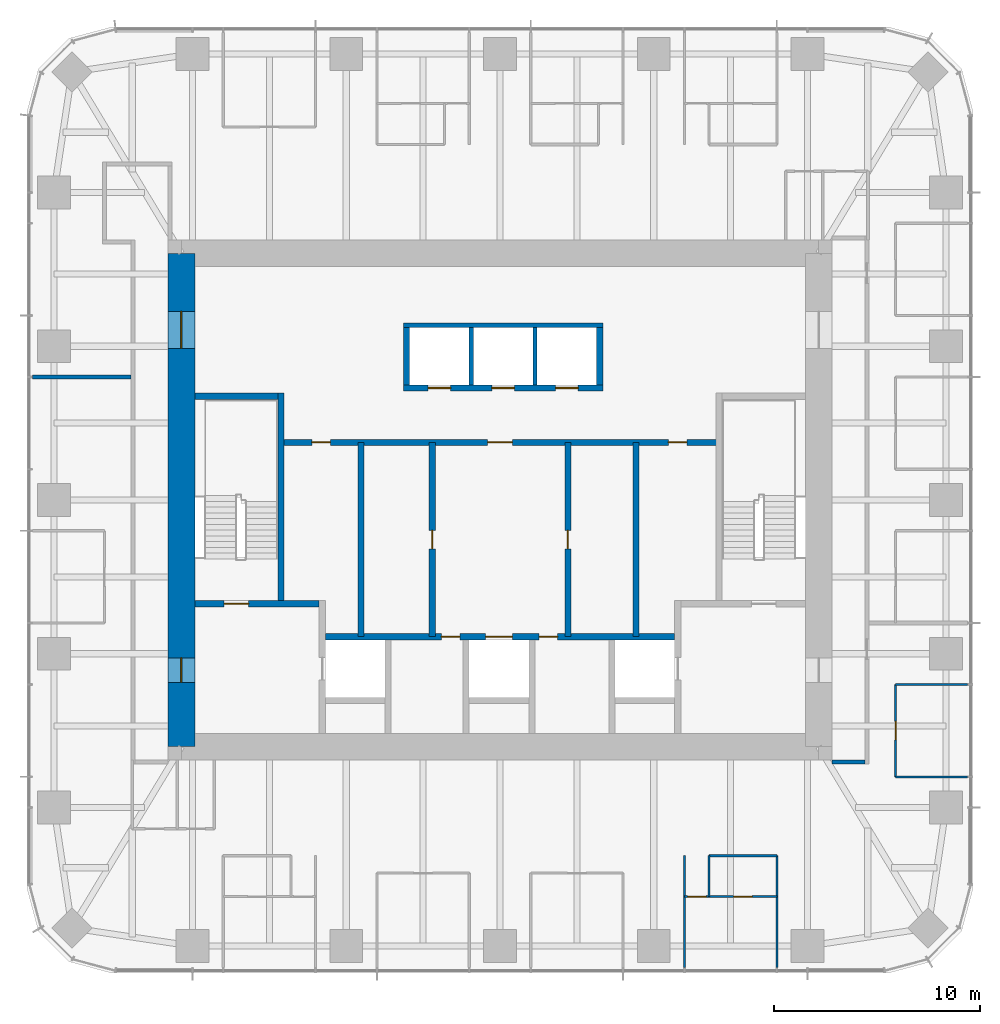
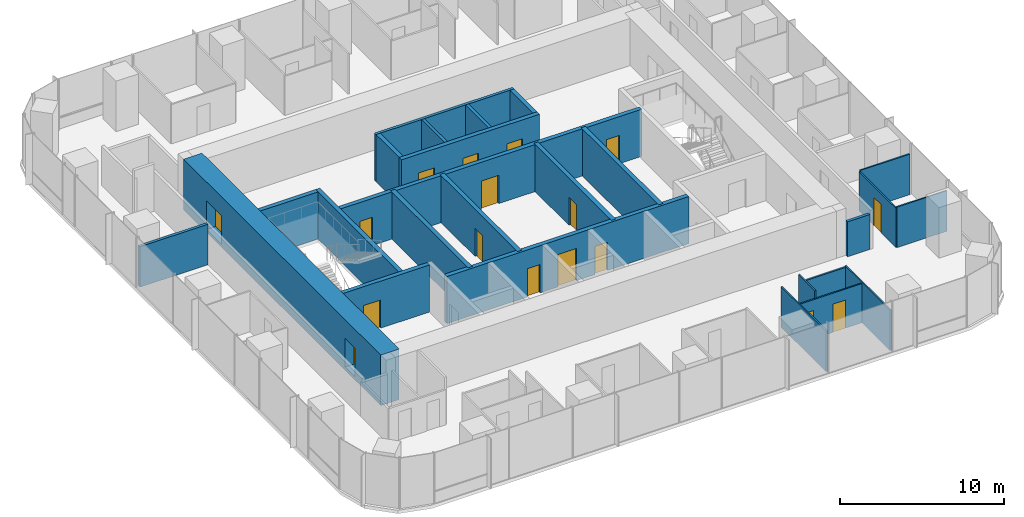
# One storey, part 9 of 12: 26 walls, 17 doors, 17 openings.
"""IFC4 building model written with IfcOpenShell, lengths in metres."""

from ifc_helpers import new_model, si_unit, direction, frame, frame_2d, origin, place, context, subcontext, project, spatial, rectangle, extrude, material, layer, layer_set, type_object, element, fill, save


model = new_model("IFC4")

# Units and contexts
model_context = context("Model", 3, precision=1e-05, world=origin(), true_north=direction((0.0, 1.0)))
body_context = subcontext(model_context, "Body", "Model", "MODEL_VIEW")
ifc_project = project(units=[si_unit("LENGTHUNIT", "METRE"), si_unit("AREAUNIT", "SQUARE_METRE"), si_unit("VOLUMEUNIT", "CUBIC_METRE"), si_unit("PLANEANGLEUNIT", "RADIAN"), si_unit("MASSUNIT", "GRAM", prefix="KILO")], contexts=[model_context])

# Site, building, storey
site_placement = place(None, origin())
site = spatial("IfcSite", under=ifc_project, at=site_placement, CompositionType="ELEMENT")
building_placement = place(site_placement, origin())
building = spatial("IfcBuilding", under=site, at=building_placement, Name="Khuree Lantern Residences", CompositionType="ELEMENT")
storey_placement = place(building_placement, frame((0.0, 0.0, 342.0)))
storey = spatial("IfcBuildingStorey", under=building, at=storey_placement, Name="L86", CompositionType="ELEMENT", Elevation=342.0)

# Wall
ifc_material_1 = material(Name="Moisture-resistant gypsum board on steel studs", Category="steel")
ifc_layer_1 = layer(ifc_material_1, 0.125)
ifc_layer_set_1 = layer_set([ifc_layer_1], Name="BATHROOM WALL BTW125")
wall_type_1 = type_object("IfcWallType", Name="BATHROOM WALL BTW125", PredefinedType="PARTITIONING", material=ifc_layer_set_1)
wall_1_placement = place(storey_placement, frame((10.176025390625, -17.29638671875, 0.0), z_axis=(0.0, 0.0, 1.0), x_axis=(1.0, 0.0, 0.0)))
element("IfcWall", 1, at=wall_1_placement, inside=storey, type_object=wall_type_1, Name="L86 BATHROOM WALL 02", PredefinedType="PARTITIONING", context=body_context, shape_type="SweptSolid", body=[
    extrude(rectangle(XDim=3.2880859375, YDim=0.125, at=frame_2d((1.64404296875, 0.0))), origin(), (0.0, 0.0, 1.0), 2.909912109375),
])

# Wall, openings, doors
ifc_material_2 = material(Name="Dense concrete blockwork", Category="masonry")
ifc_layer_2 = layer(ifc_material_2, 0.300048828125)
ifc_layer_set_2 = layer_set([ifc_layer_2], Name="CORE PARTITION WALL CPW300 EI 120")
wall_type_2 = type_object("IfcWallType", Name="CORE PARTITION WALL CPW300 EI 120", PredefinedType="PARTITIONING", material=ifc_layer_set_2)
wall_2_placement = place(storey_placement, frame((-8.5, -6.64990234375, 0.0), z_axis=(0.0, 0.0, 1.0), x_axis=(1.0, 0.0, 0.0)))
wall_2 = element("IfcWall", 2, at=wall_2_placement, inside=storey, type_object=wall_type_2, Name="L86 CORE WALL FLROW", PredefinedType="PARTITIONING", context=body_context, shape_type="SweptSolid", body=[
    extrude(rectangle(XDim=17.0, YDim=0.300048828125, at=frame_2d((8.5, 0.0))), origin(), (0.0, 0.0, 1.0), 3.5),
])
opening_1_placement = place(wall_2_placement, frame((7.800048828125, 0.0, 0.0)))
opening_1 = element("IfcOpeningElement", 3, at=opening_1_placement, cuts=wall_2, Name="Opening 86-012", PredefinedType="OPENING", context=body_context, shape_type="SweptSolid", body=[
    extrude(rectangle(XDim=1.300048828125, YDim=2.39990234375, at=frame_2d((0.64990234375, 1.199951171875))), frame((0.0, 0.16015625, 0.0), z_axis=(0.0, -1.0, 0.0), x_axis=(1.0, 0.0, 0.0)), (0.0, 0.0, 1.0), 0.320068359375),
])
opening_2_placement = place(wall_2_placement, frame((5.64990234375, 0.0, 0.0)))
opening_2 = element("IfcOpeningElement", 4, at=opening_2_placement, cuts=wall_2, Name="Opening 86-014", PredefinedType="OPENING", context=body_context, shape_type="SweptSolid", body=[
    extrude(rectangle(XDim=0.89990234375, YDim=2.10009765625, at=frame_2d((0.449951171875, 1.050048828125))), frame((0.0, 0.16015625, 0.0), z_axis=(0.0, -1.0, 0.0), x_axis=(1.0, 0.0, 0.0)), (0.0, 0.0, 1.0), 0.320068359375),
])
opening_3_placement = place(wall_2_placement, frame((10.39990234375, 0.0, 0.0)))
opening_3 = element("IfcOpeningElement", 5, at=opening_3_placement, cuts=wall_2, Name="Opening 86-015", PredefinedType="OPENING", context=body_context, shape_type="SweptSolid", body=[
    extrude(rectangle(XDim=0.89990234375, YDim=2.10009765625, at=frame_2d((0.449951171875, 1.050048828125))), frame((0.0, 0.16015625, 0.0), z_axis=(0.0, -1.0, 0.0), x_axis=(1.0, 0.0, 0.0)), (0.0, 0.0, 1.0), 0.320068359375),
])
ifc_material_3 = material(Name="Steel door leaf in steel frame", Category="steel")
door_type_1 = type_object("IfcDoorType", Name="DOOR 900X2100 EI 60", OperationType="SINGLE_SWING_LEFT", PredefinedType="DOOR", material=ifc_material_3)
door_1_placement = place(opening_2_placement, origin())
door_1 = element("IfcDoor", 6, at=door_1_placement, inside=storey, type_object=door_type_1, Name="Refuse chute room door 86-014", OperationType="SINGLE_SWING_LEFT", OverallHeight=2.10009765625, OverallWidth=0.89990234375, PredefinedType="DOOR", context=body_context, shape_type="SweptSolid", body=[
    extrude(rectangle(XDim=0.89990234375, YDim=2.10009765625, at=frame_2d((0.449951171875, 1.050048828125))), frame((0.0, 0.02490234375, 0.0), z_axis=(0.0, -1.0, 0.0), x_axis=(1.0, 0.0, 0.0)), (0.0, 0.0, 1.0), 0.050048828125),
])
fill(opening_2, door_1)
door_type_2 = type_object("IfcDoorType", Name="DOOR 900X2100 EI 60 RIGHT HAND", OperationType="SINGLE_SWING_RIGHT", PredefinedType="DOOR", material=ifc_material_3)
door_2_placement = place(opening_3_placement, origin())
door_2 = element("IfcDoor", 7, at=door_2_placement, inside=storey, type_object=door_type_2, Name="Electrical and plumbing riser door 86-015", OperationType="SINGLE_SWING_RIGHT", OverallHeight=2.10009765625, OverallWidth=0.89990234375, PredefinedType="DOOR", context=body_context, shape_type="SweptSolid", body=[
    extrude(rectangle(XDim=0.89990234375, YDim=2.10009765625, at=frame_2d((0.449951171875, 1.050048828125))), frame((0.0, 0.02490234375, 0.0), z_axis=(0.0, -1.0, 0.0), x_axis=(1.0, 0.0, 0.0)), (0.0, 0.0, 1.0), 0.050048828125),
])
fill(opening_3, door_2)
ifc_material_4 = material(Name="Stainless steel lift landing door", Category="steel")
door_type_3 = type_object("IfcDoorType", Name="LIFT LANDING DOOR 1300X2400 E 60", OperationType="DOUBLE_DOOR_SLIDING", PredefinedType="DOOR", material=ifc_material_4)
door_3_placement = place(opening_1_placement, origin())
door_3 = element("IfcDoor", 8, at=door_3_placement, inside=storey, type_object=door_type_3, Name="Landing door SL1 86-012", OperationType="DOUBLE_DOOR_SLIDING", OverallHeight=2.39990234375, OverallWidth=1.300048828125, PredefinedType="DOOR", context=body_context, shape_type="SweptSolid", body=[
    extrude(rectangle(XDim=1.300048828125, YDim=2.39990234375, at=frame_2d((0.64990234375, 1.199951171875))), frame((0.0, 0.02490234375, 0.0), z_axis=(0.0, -1.0, 0.0), x_axis=(1.0, 0.0, 0.0)), (0.0, 0.0, 1.0), 0.050048828125),
])
fill(opening_1, door_3)

wall_3_placement = place(storey_placement, frame((-4.699951171875, 5.449951171875, 0.0), z_axis=(0.0, 0.0, 1.0), x_axis=(1.0, 0.0, 0.0)))
wall_3 = element("IfcWall", 9, at=wall_3_placement, inside=storey, type_object=wall_type_2, Name="L86 CORE WALL PHS", PredefinedType="PARTITIONING", context=body_context, shape_type="SweptSolid", body=[
    extrude(rectangle(XDim=9.699951171875, YDim=0.300048828125, at=frame_2d((4.85009765625, 0.0))), origin(), (0.0, 0.0, 1.0), 3.5),
])
opening_4_placement = place(wall_3_placement, frame((1.199951171875, 0.0, 0.0)))
opening_4 = element("IfcOpeningElement", 10, at=opening_4_placement, cuts=wall_3, Name="Opening 86-009", PredefinedType="OPENING", context=body_context, shape_type="SweptSolid", body=[
    extrude(rectangle(XDim=1.10009765625, YDim=2.10009765625, at=frame_2d((0.550048828125, 1.050048828125))), frame((0.0, 0.16015625, 0.0), z_axis=(0.0, -1.0, 0.0), x_axis=(1.0, 0.0, 0.0)), (0.0, 0.0, 1.0), 0.320068359375),
])
opening_5_placement = place(wall_3_placement, frame((4.300048828125, 0.0, 0.0)))
opening_5 = element("IfcOpeningElement", 11, at=opening_5_placement, cuts=wall_3, Name="Opening 86-010", PredefinedType="OPENING", context=body_context, shape_type="SweptSolid", body=[
    extrude(rectangle(XDim=1.10009765625, YDim=2.10009765625, at=frame_2d((0.550048828125, 1.050048828125))), frame((0.0, 0.16015625, 0.0), z_axis=(0.0, -1.0, 0.0), x_axis=(1.0, 0.0, 0.0)), (0.0, 0.0, 1.0), 0.320068359375),
])
opening_6_placement = place(wall_3_placement, frame((7.39990234375, 0.0, 0.0)))
opening_6 = element("IfcOpeningElement", 12, at=opening_6_placement, cuts=wall_3, Name="Opening 86-011", PredefinedType="OPENING", context=body_context, shape_type="SweptSolid", body=[
    extrude(rectangle(XDim=1.10009765625, YDim=2.10009765625, at=frame_2d((0.550048828125, 1.050048828125))), frame((0.0, 0.16015625, 0.0), z_axis=(0.0, -1.0, 0.0), x_axis=(1.0, 0.0, 0.0)), (0.0, 0.0, 1.0), 0.320068359375),
])
door_type_4 = type_object("IfcDoorType", Name="LIFT LANDING DOOR 1100X2100 E 60", OperationType="DOUBLE_DOOR_SLIDING", PredefinedType="DOOR", material=ifc_material_4)
door_4_placement = place(opening_4_placement, origin())
door_4 = element("IfcDoor", 13, at=door_4_placement, inside=storey, type_object=door_type_4, Name="Landing door PH1 86-009", OperationType="DOUBLE_DOOR_SLIDING", OverallHeight=2.10009765625, OverallWidth=1.10009765625, PredefinedType="DOOR", context=body_context, shape_type="SweptSolid", body=[
    extrude(rectangle(XDim=1.10009765625, YDim=2.10009765625, at=frame_2d((0.550048828125, 1.050048828125))), frame((0.0, 0.02490234375, 0.0), z_axis=(0.0, -1.0, 0.0), x_axis=(1.0, 0.0, 0.0)), (0.0, 0.0, 1.0), 0.050048828125),
])
fill(opening_4, door_4)
door_5_placement = place(opening_5_placement, origin())
door_5 = element("IfcDoor", 14, at=door_5_placement, inside=storey, type_object=door_type_4, Name="Landing door PH2 86-010", OperationType="DOUBLE_DOOR_SLIDING", OverallHeight=2.10009765625, OverallWidth=1.10009765625, PredefinedType="DOOR", context=body_context, shape_type="SweptSolid", body=[
    extrude(rectangle(XDim=1.10009765625, YDim=2.10009765625, at=frame_2d((0.550048828125, 1.050048828125))), frame((0.0, 0.02490234375, 0.0), z_axis=(0.0, -1.0, 0.0), x_axis=(1.0, 0.0, 0.0)), (0.0, 0.0, 1.0), 0.050048828125),
])
fill(opening_5, door_5)
door_6_placement = place(opening_6_placement, origin())
door_6 = element("IfcDoor", 15, at=door_6_placement, inside=storey, type_object=door_type_4, Name="Landing door PH3 86-011", OperationType="DOUBLE_DOOR_SLIDING", OverallHeight=2.10009765625, OverallWidth=1.10009765625, PredefinedType="DOOR", context=body_context, shape_type="SweptSolid", body=[
    extrude(rectangle(XDim=1.10009765625, YDim=2.10009765625, at=frame_2d((0.550048828125, 1.050048828125))), frame((0.0, 0.02490234375, 0.0), z_axis=(0.0, -1.0, 0.0), x_axis=(1.0, 0.0, 0.0)), (0.0, 0.0, 1.0), 0.050048828125),
])
fill(opening_6, door_6)

# Walls
for number, where, z_axis, x_axis, name in (
    (16, (-4.550048828125, 5.60009765625, 0.0), (0.0, 0.0, 1.0), (0.0, 1.0, 0.0), "L86 CORE WALL PHW"),
    (17, (4.85009765625, 5.60009765625, 0.0), (0.0, 0.0, 1.0), (0.0, 1.0, 0.0), "L86 CORE WALL PHE"),
):
    element("IfcWall", number, at=place(storey_placement, frame(where, z_axis=z_axis, x_axis=x_axis)), inside=storey, type_object=wall_type_2, Name=name, PredefinedType="PARTITIONING", context=body_context, shape_type="SweptSolid", body=[
        extrude(rectangle(XDim=2.7998046875, YDim=0.300048828125, at=frame_2d((1.39990234375, 0.0))), origin(), (0.0, 0.0, 1.0), 3.5),
    ])

# Wall, openings, doors
wall_4_placement = place(storey_placement, frame((-10.64990234375, 2.800048828125, 0.0), z_axis=(0.0, 0.0, 1.0), x_axis=(1.0, 0.0, 0.0)))
wall_4 = element("IfcWall", 18, at=wall_4_placement, inside=storey, type_object=wall_type_2, Name="L86 CORE WALL LLS", PredefinedType="PARTITIONING", context=body_context, shape_type="SweptSolid", body=[
    extrude(rectangle(XDim=21.2998046875, YDim=0.300048828125, at=frame_2d((10.64990234375, 0.0))), origin(), (0.0, 0.0, 1.0), 3.5),
])
opening_7_placement = place(wall_4_placement, frame((10.050048828125, 0.0, 0.0)))
opening_7 = element("IfcOpeningElement", 19, at=opening_7_placement, cuts=wall_4, Name="Opening 86-013", PredefinedType="OPENING", context=body_context, shape_type="SweptSolid", body=[
    extrude(rectangle(XDim=1.199951171875, YDim=2.10009765625, at=frame_2d((0.60009765625, 1.050048828125))), frame((0.0, 0.16015625, 0.0), z_axis=(0.0, -1.0, 0.0), x_axis=(1.0, 0.0, 0.0)), (0.0, 0.0, 1.0), 0.320068359375),
])
opening_8_placement = place(wall_4_placement, frame((1.492919921875, 0.0, 0.0)))
opening_8 = element("IfcOpeningElement", 20, at=opening_8_placement, cuts=wall_4, Name="Opening 86-017", PredefinedType="OPENING", context=body_context, shape_type="SweptSolid", body=[
    extrude(rectangle(XDim=0.89990234375, YDim=2.10009765625, at=frame_2d((0.449951171875, 1.050048828125))), frame((0.0, 0.16015625, 0.0), z_axis=(0.0, -1.0, 0.0), x_axis=(1.0, 0.0, 0.0)), (0.0, 0.0, 1.0), 0.320068359375),
])
opening_9_placement = place(wall_4_placement, frame((18.8359375, 0.0, 0.0)))
opening_9 = element("IfcOpeningElement", 21, at=opening_9_placement, cuts=wall_4, Name="Opening 86-019", PredefinedType="OPENING", context=body_context, shape_type="SweptSolid", body=[
    extrude(rectangle(XDim=0.89990234375, YDim=2.10009765625, at=frame_2d((0.449951171875, 1.050048828125))), frame((0.0, 0.16015625, 0.0), z_axis=(0.0, -1.0, 0.0), x_axis=(1.0, 0.0, 0.0)), (0.0, 0.0, 1.0), 0.320068359375),
])
door_type_5 = type_object("IfcDoorType", Name="DOOR 1200X2100 EI 60", OperationType="SINGLE_SWING_LEFT", PredefinedType="DOOR", material=ifc_material_3)
door_7_placement = place(opening_7_placement, origin())
door_7 = element("IfcDoor", 22, at=door_7_placement, inside=storey, type_object=door_type_5, Name="Service lift lobby door 86-013", OperationType="SINGLE_SWING_LEFT", OverallHeight=2.10009765625, OverallWidth=1.199951171875, PredefinedType="DOOR", context=body_context, shape_type="SweptSolid", body=[
    extrude(rectangle(XDim=1.199951171875, YDim=2.10009765625, at=frame_2d((0.60009765625, 1.050048828125))), frame((0.0, 0.02490234375, 0.0), z_axis=(0.0, -1.0, 0.0), x_axis=(1.0, 0.0, 0.0)), (0.0, 0.0, 1.0), 0.050048828125),
])
fill(opening_7, door_7)
ifc_material_5 = material(Name="Timber door leaf in hardwood frame", Category="wood")
door_type_6 = type_object("IfcDoorType", Name="DOOR 900X2100", OperationType="SINGLE_SWING_LEFT", PredefinedType="DOOR", material=ifc_material_5)
door_8_placement = place(opening_8_placement, origin())
door_8 = element("IfcDoor", 23, at=door_8_placement, inside=storey, type_object=door_type_6, Name="Residents' store door 86-017", OperationType="SINGLE_SWING_LEFT", OverallHeight=2.10009765625, OverallWidth=0.89990234375, PredefinedType="DOOR", context=body_context, shape_type="SweptSolid", body=[
    extrude(rectangle(XDim=0.89990234375, YDim=2.10009765625, at=frame_2d((0.449951171875, 1.050048828125))), frame((0.0, 0.02490234375, 0.0), z_axis=(0.0, -1.0, 0.0), x_axis=(1.0, 0.0, 0.0)), (0.0, 0.0, 1.0), 0.050048828125),
])
fill(opening_8, door_8)
door_type_7 = type_object("IfcDoorType", Name="DOOR 900X2100 RIGHT HAND", OperationType="SINGLE_SWING_RIGHT", PredefinedType="DOOR", material=ifc_material_5)
door_9_placement = place(opening_9_placement, origin())
door_9 = element("IfcDoor", 24, at=door_9_placement, inside=storey, type_object=door_type_7, Name="Residents' store door 86-019", OperationType="SINGLE_SWING_RIGHT", OverallHeight=2.10009765625, OverallWidth=0.89990234375, PredefinedType="DOOR", context=body_context, shape_type="SweptSolid", body=[
    extrude(rectangle(XDim=0.89990234375, YDim=2.10009765625, at=frame_2d((0.449951171875, 1.050048828125))), frame((0.0, 0.02490234375, 0.0), z_axis=(0.0, -1.0, 0.0), x_axis=(1.0, 0.0, 0.0)), (0.0, 0.0, 1.0), 0.050048828125),
])
fill(opening_9, door_9)

# Wall, opening, door
wall_5_placement = place(storey_placement, frame((-3.300048828125, -6.64990234375, 0.0), z_axis=(0.0, 0.0, 1.0), x_axis=(0.0, 1.0, 0.0)))
wall_5 = element("IfcWall", 25, at=wall_5_placement, inside=storey, type_object=wall_type_2, Name="L86 CORE WALL SVW", PredefinedType="PARTITIONING", context=body_context, shape_type="SweptSolid", body=[
    extrude(rectangle(XDim=9.449951171875, YDim=0.300048828125, at=frame_2d((4.72509765625, 0.0))), origin(), (0.0, 0.0, 1.0), 3.5),
])
opening_10_placement = place(wall_5_placement, frame((4.27490234375, 0.0, 0.0)))
opening_10 = element("IfcOpeningElement", 26, at=opening_10_placement, cuts=wall_5, Name="Opening 86-016", PredefinedType="OPENING", context=body_context, shape_type="SweptSolid", body=[
    extrude(rectangle(XDim=0.89990234375, YDim=2.10009765625, at=frame_2d((0.449951171875, 1.050048828125))), frame((0.0, 0.16015625, 0.0), z_axis=(0.0, -1.0, 0.0), x_axis=(1.0, 0.0, 0.0)), (0.0, 0.0, 1.0), 0.320068359375),
])
door_10_placement = place(opening_10_placement, origin())
door_10 = element("IfcDoor", 27, at=door_10_placement, inside=storey, type_object=door_type_6, Name="Residents' store door 86-016", OperationType="SINGLE_SWING_LEFT", OverallHeight=2.10009765625, OverallWidth=0.89990234375, PredefinedType="DOOR", context=body_context, shape_type="SweptSolid", body=[
    extrude(rectangle(XDim=0.89990234375, YDim=2.10009765625, at=frame_2d((0.449951171875, 1.050048828125))), frame((0.0, 0.02490234375, 0.0), z_axis=(0.0, -1.0, 0.0), x_axis=(1.0, 0.0, 0.0)), (0.0, 0.0, 1.0), 0.050048828125),
])
fill(opening_10, door_10)

wall_6_placement = place(storey_placement, frame((3.300048828125, -6.64990234375, 0.0), z_axis=(0.0, 0.0, 1.0), x_axis=(0.0, 1.0, 0.0)))
wall_6 = element("IfcWall", 28, at=wall_6_placement, inside=storey, type_object=wall_type_2, Name="L86 CORE WALL SVE", PredefinedType="PARTITIONING", context=body_context, shape_type="SweptSolid", body=[
    extrude(rectangle(XDim=9.449951171875, YDim=0.300048828125, at=frame_2d((4.72509765625, 0.0))), origin(), (0.0, 0.0, 1.0), 3.5),
])
opening_11_placement = place(wall_6_placement, frame((4.27490234375, 0.0, 0.0)))
opening_11 = element("IfcOpeningElement", 29, at=opening_11_placement, cuts=wall_6, Name="Opening 86-018", PredefinedType="OPENING", context=body_context, shape_type="SweptSolid", body=[
    extrude(rectangle(XDim=0.89990234375, YDim=2.10009765625, at=frame_2d((0.449951171875, 1.050048828125))), frame((0.0, 0.16015625, 0.0), z_axis=(0.0, -1.0, 0.0), x_axis=(1.0, 0.0, 0.0)), (0.0, 0.0, 1.0), 0.320068359375),
])
door_11_placement = place(opening_11_placement, origin())
door_11 = element("IfcDoor", 30, at=door_11_placement, inside=storey, type_object=door_type_6, Name="Residents' store door 86-018", OperationType="SINGLE_SWING_LEFT", OverallHeight=2.10009765625, OverallWidth=0.89990234375, PredefinedType="DOOR", context=body_context, shape_type="SweptSolid", body=[
    extrude(rectangle(XDim=0.89990234375, YDim=2.10009765625, at=frame_2d((0.449951171875, 1.050048828125))), frame((0.0, 0.02490234375, 0.0), z_axis=(0.0, -1.0, 0.0), x_axis=(1.0, 0.0, 0.0)), (0.0, 0.0, 1.0), 0.050048828125),
])
fill(opening_11, door_11)

# Walls
for number, where, z_axis, x_axis, name in (
    (31, (-6.763916015625, -6.64990234375, 0.0), (0.0, 0.0, 1.0), (0.0, 1.0, 0.0), "L86 CORE WALL WV"),
    (32, (6.6220703125, -6.64990234375, 0.0), (0.0, 0.0, 1.0), (0.0, 1.0, 0.0), "L86 CORE WALL EV"),
):
    element("IfcWall", number, at=place(storey_placement, frame(where, z_axis=z_axis, x_axis=x_axis)), inside=storey, type_object=wall_type_2, Name=name, PredefinedType="PARTITIONING", context=body_context, shape_type="SweptSolid", body=[
        extrude(rectangle(XDim=9.449951171875, YDim=0.300048828125, at=frame_2d((4.72509765625, 0.0))), origin(), (0.0, 0.0, 1.0), 3.5),
    ])
ifc_material_6 = material(Name="Gypsum board on steel studs", Category="steel")
ifc_layer_3 = layer(ifc_material_6, 0.199951171875)
ifc_layer_set_3 = layer_set([ifc_layer_3], Name="CORRIDOR WALL CRW200 EI 60")
wall_type_3 = type_object("IfcWallType", Name="CORRIDOR WALL CRW200 EI 60", PredefinedType="PARTITIONING", material=ifc_layer_set_3)
wall_7_placement = place(storey_placement, frame((16.14990234375, -12.75, 0.0), z_axis=(0.0, 0.0, 1.0), x_axis=(1.0, 0.0, 0.0)))
element("IfcWall", 33, at=wall_7_placement, inside=storey, type_object=wall_type_3, Name="L86 EAST CORRIDOR SOUTH END WALL", PredefinedType="PARTITIONING", context=body_context, shape_type="SweptSolid", body=[
    extrude(rectangle(XDim=1.60009765625, YDim=0.199951171875, at=frame_2d((0.800048828125, 0.0))), origin(), (0.0, 0.0, 1.0), 2.60009765625),
])

# Wall, openings, doors
ifc_material_7 = material(Name="Concrete C50/60", Category="concrete")
ifc_layer_4 = layer(ifc_material_7, 1.300048828125)
ifc_layer_set_4 = layer_set([ifc_layer_4], Name="CW1300-C50 CORE WALL C50 1300")
wall_type_4 = type_object("IfcWallType", Name="CW1300-C50 CORE WALL C50 1300", PredefinedType="SHEAR", material=ifc_layer_set_4)
wall_8_placement = place(storey_placement, frame((-15.5, -12.0, -0.25), z_axis=(0.0, 0.0, 1.0), x_axis=(0.0, 1.0, 0.0)))
wall_8 = element("IfcWall", 34, at=wall_8_placement, inside=storey, type_object=wall_type_4, Name="Core wall W", PredefinedType="SHEAR", context=body_context, shape_type="SweptSolid", body=[
    extrude(rectangle(XDim=24.0, YDim=1.300048828125, at=frame_2d((12.0, 0.0))), origin(), (0.0, 0.0, 1.0), 3.75),
])
opening_12_placement = place(wall_8_placement, frame((3.125, 0.0, 0.25)))
opening_12 = element("IfcOpeningElement", 35, at=opening_12_placement, cuts=wall_8, Name="Opening 86-002", PredefinedType="OPENING", context=body_context, shape_type="SweptSolid", body=[
    extrude(rectangle(XDim=1.199951171875, YDim=2.10009765625, at=frame_2d((0.60009765625, 1.050048828125))), frame((0.0, 0.66015625, 0.0), z_axis=(0.0, -1.0, 0.0), x_axis=(1.0, 0.0, 0.0)), (0.0, 0.0, 1.0), 1.320068359375),
])
opening_13_placement = place(wall_8_placement, frame((19.375, 0.0, 0.25)))
opening_13 = element("IfcOpeningElement", 36, at=opening_13_placement, cuts=wall_8, Name="Opening 86-003", PredefinedType="OPENING", context=body_context, shape_type="SweptSolid", body=[
    extrude(rectangle(XDim=1.800048828125, YDim=2.10009765625, at=frame_2d((0.89990234375, 1.050048828125))), frame((0.0, 0.66015625, 0.0), z_axis=(0.0, -1.0, 0.0), x_axis=(1.0, 0.0, 0.0)), (0.0, 0.0, 1.0), 1.320068359375),
])
door_type_8 = type_object("IfcDoorType", Name="LOBBY DOOR 1200X2100 EI 120", OperationType="SINGLE_SWING_LEFT", PredefinedType="DOOR", material=ifc_material_3)
door_12_placement = place(opening_12_placement, origin())
door_12 = element("IfcDoor", 37, at=door_12_placement, inside=storey, type_object=door_type_8, Name="Firefighting lobby door 86-002", OperationType="SINGLE_SWING_LEFT", OverallHeight=2.10009765625, OverallWidth=1.199951171875, PredefinedType="DOOR", context=body_context, shape_type="SweptSolid", body=[
    extrude(rectangle(XDim=1.199951171875, YDim=2.10009765625, at=frame_2d((0.60009765625, 1.050048828125))), frame((0.0, 0.02490234375, 0.0), z_axis=(0.0, -1.0, 0.0), x_axis=(1.0, 0.0, 0.0)), (0.0, 0.0, 1.0), 0.050048828125),
])
fill(opening_12, door_12)
door_type_9 = type_object("IfcDoorType", Name="LOBBY DOUBLE DOOR 1800X2100 EI 60", OperationType="DOUBLE_DOOR_SINGLE_SWING", PredefinedType="DOOR", material=ifc_material_3)
door_13_placement = place(opening_13_placement, origin())
door_13 = element("IfcDoor", 38, at=door_13_placement, inside=storey, type_object=door_type_9, Name="Lift lobby door 86-003", OperationType="DOUBLE_DOOR_SINGLE_SWING", OverallHeight=2.10009765625, OverallWidth=1.800048828125, PredefinedType="DOOR", context=body_context, shape_type="SweptSolid", body=[
    extrude(rectangle(XDim=1.800048828125, YDim=2.10009765625, at=frame_2d((0.89990234375, 1.050048828125))), frame((0.0, 0.02490234375, 0.0), z_axis=(0.0, -1.0, 0.0), x_axis=(1.0, 0.0, 0.0)), (0.0, 0.0, 1.0), 0.050048828125),
])
fill(opening_13, door_13)

# Walls
ifc_layer_5 = layer(ifc_material_6, 0.199951171875)
ifc_layer_set_5 = layer_set([ifc_layer_5], Name="DEMISING WALL DMW200 EI 90")
wall_type_5 = type_object("IfcWallType", Name="DEMISING WALL DMW200 EI 90", PredefinedType="PARTITIONING", material=ifc_layer_set_5)
wall_9_placement = place(storey_placement, frame((-17.949951171875, 5.98388671875, 0.0), z_axis=(0.0, 0.0, 1.0), x_axis=(-1.0, 0.0, 0.0)))
element("IfcWall", 39, at=wall_9_placement, inside=storey, type_object=wall_type_5, Name="L86 DEMISING WALL 02", PredefinedType="PARTITIONING", context=body_context, shape_type="SweptSolid", body=[
    extrude(rectangle(XDim=4.800048828125, YDim=0.199951171875, at=frame_2d((2.39990234375, 0.0))), origin(), (0.0, 0.0, 1.0), 3.010009765625),
])
ifc_layer_6 = layer(ifc_material_6, 0.10009765625)
ifc_layer_set_6 = layer_set([ifc_layer_6], Name="PARTITION PT100")
wall_type_6 = type_object("IfcWallType", Name="PARTITION PT100", PredefinedType="PARTITIONING", material=ifc_layer_set_6)
for number, where, z_axis, x_axis, name in (
    (40, (8.97607421875, -17.29638671875, 0.0), (0.0, 0.0, 1.0), (0.0, -1.0, 0.0), "L86 PARTITION 02"),
    (41, (13.464111328125, -17.29638671875, 0.0), (0.0, 0.0, 1.0), (0.0, -1.0, 0.0), "L86 PARTITION 02"),
):
    element("IfcWall", number, at=place(storey_placement, frame(where, z_axis=z_axis, x_axis=x_axis)), inside=storey, type_object=wall_type_6, Name=name, PredefinedType="PARTITIONING", context=body_context, shape_type="SweptSolid", body=[
        extrude(rectangle(XDim=5.45361328125, YDim=0.10009765625, at=frame_2d((2.726806640625, 0.0))), origin(), (0.0, 0.0, 1.0), 3.010009765625),
    ])
for number, where, z_axis, x_axis, name in (
    (42, (19.25, -13.464111328125, 0.0), (0.0, 0.0, 1.0), (1.0, 0.0, 0.0), "L86 PARTITION 02"),
    (43, (19.25, -8.97607421875, 0.0), (0.0, 0.0, 1.0), (1.0, 0.0, 0.0), "L86 PARTITION 02"),
):
    element("IfcWall", number, at=place(storey_placement, frame(where, z_axis=z_axis, x_axis=x_axis)), inside=storey, type_object=wall_type_6, Name=name, PredefinedType="PARTITIONING", context=body_context, shape_type="SweptSolid", body=[
        extrude(rectangle(XDim=3.5, YDim=0.10009765625, at=frame_2d((1.75, 0.0))), origin(), (0.0, 0.0, 1.0), 3.010009765625),
    ])

# Wall, openings, doors
wall_10_placement = place(storey_placement, frame((8.97607421875, -19.29638671875, 0.0), z_axis=(0.0, 0.0, 1.0), x_axis=(1.0, 0.0, 0.0)))
wall_10 = element("IfcWall", 44, at=wall_10_placement, inside=storey, type_object=wall_type_6, Name="L86 PARTITION 02", PredefinedType="PARTITIONING", context=body_context, shape_type="SweptSolid", body=[
    extrude(rectangle(XDim=4.488037109375, YDim=0.10009765625, at=frame_2d((2.244140625, 0.0))), origin(), (0.0, 0.0, 1.0), 2.909912109375),
])
opening_14_placement = place(wall_10_placement, frame((0.14990234375, 0.0, 0.0)))
opening_14 = element("IfcOpeningElement", 45, at=opening_14_placement, cuts=wall_10, Name="Opening 86-038", PredefinedType="OPENING", context=body_context, shape_type="SweptSolid", body=[
    extrude(rectangle(XDim=0.89990234375, YDim=2.10009765625, at=frame_2d((0.449951171875, 1.050048828125))), frame((0.0, 0.06005859375, 0.0), z_axis=(0.0, -1.0, 0.0), x_axis=(1.0, 0.0, 0.0)), (0.0, 0.0, 1.0), 0.1201171875),
])
opening_15_placement = place(wall_10_placement, frame((2.39404296875, 0.0, 0.0)))
opening_15 = element("IfcOpeningElement", 46, at=opening_15_placement, cuts=wall_10, Name="Opening 86-039", PredefinedType="OPENING", context=body_context, shape_type="SweptSolid", body=[
    extrude(rectangle(XDim=0.89990234375, YDim=2.10009765625, at=frame_2d((0.449951171875, 1.050048828125))), frame((0.0, 0.06005859375, 0.0), z_axis=(0.0, -1.0, 0.0), x_axis=(1.0, 0.0, 0.0)), (0.0, 0.0, 1.0), 0.1201171875),
])
door_type_10 = type_object("IfcDoorType", Name="BATHROOM DOOR 900X2100", OperationType="SINGLE_SWING_LEFT", PredefinedType="DOOR", material=ifc_material_5)
door_14_placement = place(opening_15_placement, origin())
door_14 = element("IfcDoor", 47, at=door_14_placement, inside=storey, type_object=door_type_10, Name="Bathroom door 86-039", OperationType="SINGLE_SWING_LEFT", OverallHeight=2.10009765625, OverallWidth=0.89990234375, PredefinedType="DOOR", context=body_context, shape_type="SweptSolid", body=[
    extrude(rectangle(XDim=0.89990234375, YDim=2.10009765625, at=frame_2d((0.449951171875, 1.050048828125))), frame((0.0, 0.02490234375, 0.0), z_axis=(0.0, -1.0, 0.0), x_axis=(1.0, 0.0, 0.0)), (0.0, 0.0, 1.0), 0.050048828125),
])
fill(opening_15, door_14)
door_type_11 = type_object("IfcDoorType", Name="BEDROOM DOOR 900X2100", OperationType="SINGLE_SWING_LEFT", PredefinedType="DOOR", material=ifc_material_5)
door_15_placement = place(opening_14_placement, origin())
door_15 = element("IfcDoor", 48, at=door_15_placement, inside=storey, type_object=door_type_11, Name="Bedroom door 86-038", OperationType="SINGLE_SWING_LEFT", OverallHeight=2.10009765625, OverallWidth=0.89990234375, PredefinedType="DOOR", context=body_context, shape_type="SweptSolid", body=[
    extrude(rectangle(XDim=0.89990234375, YDim=2.10009765625, at=frame_2d((0.449951171875, 1.050048828125))), frame((0.0, 0.02490234375, 0.0), z_axis=(0.0, -1.0, 0.0), x_axis=(1.0, 0.0, 0.0)), (0.0, 0.0, 1.0), 0.050048828125),
])
fill(opening_14, door_15)

# Wall
wall_11_placement = place(storey_placement, frame((10.176025390625, -17.29638671875, 0.0), z_axis=(0.0, 0.0, 1.0), x_axis=(0.0, -1.0, 0.0)))
element("IfcWall", 49, at=wall_11_placement, inside=storey, type_object=wall_type_6, Name="L86 PARTITION 02", PredefinedType="PARTITIONING", context=body_context, shape_type="SweptSolid", body=[
    extrude(rectangle(XDim=2.0, YDim=0.10009765625, at=frame_2d((1.0, 0.0))), origin(), (0.0, 0.0, 1.0), 3.5),
])

# Wall, opening, door
wall_12_placement = place(storey_placement, frame((19.25, -13.464111328125, 0.0), z_axis=(0.0, 0.0, 1.0), x_axis=(0.0, 1.0, 0.0)))
wall_12 = element("IfcWall", 50, at=wall_12_placement, inside=storey, type_object=wall_type_6, Name="L86 PARTITION 02", PredefinedType="PARTITIONING", context=body_context, shape_type="SweptSolid", body=[
    extrude(rectangle(XDim=4.488037109375, YDim=0.10009765625, at=frame_2d((2.244140625, 0.0))), origin(), (0.0, 0.0, 1.0), 2.909912109375),
])
opening_16_placement = place(wall_12_placement, frame((1.7939453125, 0.0, 0.0)))
opening_16 = element("IfcOpeningElement", 51, at=opening_16_placement, cuts=wall_12, Name="Opening 86-040", PredefinedType="OPENING", context=body_context, shape_type="SweptSolid", body=[
    extrude(rectangle(XDim=0.89990234375, YDim=2.10009765625, at=frame_2d((0.449951171875, 1.050048828125))), frame((0.0, 0.06005859375, 0.0), z_axis=(0.0, -1.0, 0.0), x_axis=(1.0, 0.0, 0.0)), (0.0, 0.0, 1.0), 0.1201171875),
])
door_16_placement = place(opening_16_placement, origin())
door_16 = element("IfcDoor", 52, at=door_16_placement, inside=storey, type_object=door_type_11, Name="Bedroom door 86-040", OperationType="SINGLE_SWING_LEFT", OverallHeight=2.10009765625, OverallWidth=0.89990234375, PredefinedType="DOOR", context=body_context, shape_type="SweptSolid", body=[
    extrude(rectangle(XDim=0.89990234375, YDim=2.10009765625, at=frame_2d((0.449951171875, 1.050048828125))), frame((0.0, 0.02490234375, 0.0), z_axis=(0.0, -1.0, 0.0), x_axis=(1.0, 0.0, 0.0)), (0.0, 0.0, 1.0), 0.050048828125),
])
fill(opening_16, door_16)

# Walls
ifc_layer_7 = layer(ifc_material_2, 0.199951171875)
ifc_layer_set_7 = layer_set([ifc_layer_7], Name="SHAFT WALL SHW200 EI 120")
wall_type_7 = type_object("IfcWallType", Name="SHAFT WALL SHW200 EI 120", PredefinedType="PARTITIONING", material=ifc_layer_set_7)
wall_13_placement = place(storey_placement, frame((-4.699951171875, 8.5, 0.0), z_axis=(0.0, 0.0, 1.0), x_axis=(1.0, 0.0, 0.0)))
element("IfcWall", 53, at=wall_13_placement, inside=storey, type_object=wall_type_7, Name="L86 CORE WALL PHN", PredefinedType="PARTITIONING", context=body_context, shape_type="SweptSolid", body=[
    extrude(rectangle(XDim=9.699951171875, YDim=0.199951171875, at=frame_2d((4.85009765625, 0.0))), origin(), (0.0, 0.0, 1.0), 3.5),
])
for number, where, z_axis, x_axis, name in (
    (54, (-1.39990234375, 5.60009765625, 0.0), (0.0, 0.0, 1.0), (0.0, 1.0, 0.0), "L86 CORE WALL PHD1"),
    (55, (1.699951171875, 5.60009765625, 0.0), (0.0, 0.0, 1.0), (0.0, 1.0, 0.0), "L86 CORE WALL PHD2"),
):
    element("IfcWall", number, at=place(storey_placement, frame(where, z_axis=z_axis, x_axis=x_axis)), inside=storey, type_object=wall_type_7, Name=name, PredefinedType="PARTITIONING", context=body_context, shape_type="SweptSolid", body=[
        extrude(rectangle(XDim=2.7998046875, YDim=0.199951171875, at=frame_2d((1.39990234375, 0.0))), origin(), (0.0, 0.0, 1.0), 3.5),
    ])
ifc_layer_8 = layer(ifc_material_7, 0.300048828125)
ifc_layer_set_8 = layer_set([ifc_layer_8], Name="STAIR WALL SRW300 C50/60 REI 240")
wall_type_8 = type_object("IfcWallType", Name="STAIR WALL SRW300 C50/60 REI 240", PredefinedType="SOLIDWALL", material=ifc_layer_set_8)
wall_14_placement = place(storey_placement, frame((-10.64990234375, -4.89990234375, 0.0), z_axis=(0.0, 0.0, 1.0), x_axis=(0.0, 1.0, 0.0)))
element("IfcWall", 56, at=wall_14_placement, inside=storey, type_object=wall_type_8, Name="L86 STAIR WALL ST1E", PredefinedType="SOLIDWALL", context=body_context, shape_type="SweptSolid", body=[
    extrude(rectangle(XDim=10.099853515625, YDim=0.300048828125, at=frame_2d((5.0498046875, 0.0))), origin(), (0.0, 0.0, 1.0), 3.5),
])

# Wall, opening, door
wall_15_placement = place(storey_placement, frame((-14.85009765625, -5.050048828125, 0.0), z_axis=(0.0, 0.0, 1.0), x_axis=(1.0, 0.0, 0.0)))
wall_15 = element("IfcWall", 57, at=wall_15_placement, inside=storey, type_object=wall_type_8, Name="L86 STAIR WALL ST1S", PredefinedType="SOLIDWALL", context=body_context, shape_type="SweptSolid", body=[
    extrude(rectangle(XDim=6.050048828125, YDim=0.300048828125, at=frame_2d((3.02490234375, 0.0))), origin(), (0.0, 0.0, 1.0), 3.5),
])
opening_17_placement = place(wall_15_placement, frame((1.425048828125, 0.0, 0.0)))
opening_17 = element("IfcOpeningElement", 58, at=opening_17_placement, cuts=wall_15, Name="Opening 86-001", PredefinedType="OPENING", context=body_context, shape_type="SweptSolid", body=[
    extrude(rectangle(XDim=1.199951171875, YDim=2.10009765625, at=frame_2d((0.60009765625, 1.050048828125))), frame((0.0, 0.16015625, 0.0), z_axis=(0.0, -1.0, 0.0), x_axis=(1.0, 0.0, 0.0)), (0.0, 0.0, 1.0), 0.320068359375),
])
door_type_12 = type_object("IfcDoorType", Name="STAIR DOOR 1200X2100 EI 120", OperationType="SINGLE_SWING_LEFT", PredefinedType="DOOR", material=ifc_material_3)
door_17_placement = place(opening_17_placement, origin())
door_17 = element("IfcDoor", 59, at=door_17_placement, inside=storey, type_object=door_type_12, Name="Stair ST1 door 86-001", OperationType="SINGLE_SWING_LEFT", OverallHeight=2.10009765625, OverallWidth=1.199951171875, PredefinedType="DOOR", context=body_context, shape_type="SweptSolid", body=[
    extrude(rectangle(XDim=1.199951171875, YDim=2.10009765625, at=frame_2d((0.60009765625, 1.050048828125))), frame((0.0, 0.02490234375, 0.0), z_axis=(0.0, -1.0, 0.0), x_axis=(1.0, 0.0, 0.0)), (0.0, 0.0, 1.0), 0.050048828125),
])
fill(opening_17, door_17)

# Wall
wall_16_placement = place(storey_placement, frame((-14.85009765625, 5.050048828125, 0.0), z_axis=(0.0, 0.0, 1.0), x_axis=(1.0, 0.0, 0.0)))
element("IfcWall", 60, at=wall_16_placement, inside=storey, type_object=wall_type_8, Name="L86 STAIR WALL ST1N", PredefinedType="SOLIDWALL", context=body_context, shape_type="SweptSolid", body=[
    extrude(rectangle(XDim=4.050048828125, YDim=0.300048828125, at=frame_2d((2.02490234375, 0.0))), origin(), (0.0, 0.0, 1.0), 3.5),
])

save(model, "model.ifc")
